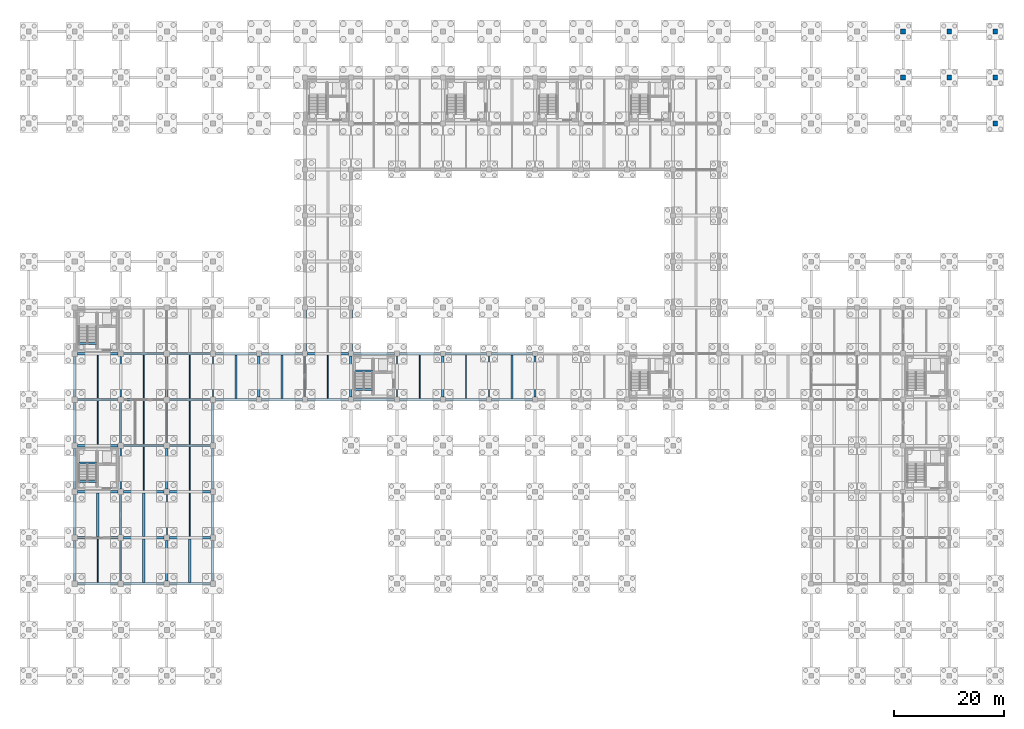
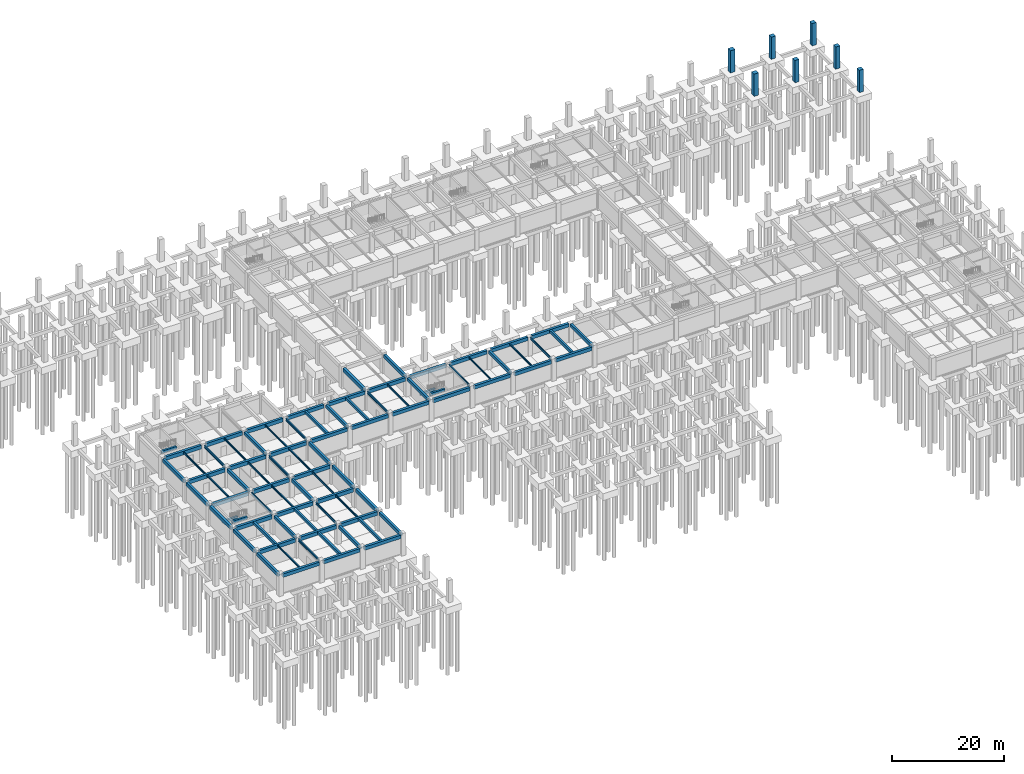
# One storey, part 13 of 29: 86 beams, 7 columns.
"""IFC4 building model written with IfcOpenShell, lengths in metres."""

from ifc_helpers import new_model, si_unit, direction, frame, origin, origin_2d, place, context, subcontext, project, spatial, rectangle, i_section, extrude, material, material_profile, profile_set, type_object, element, save


model = new_model("IFC4")

# Units and contexts
model_context = context("Model", 3, precision=1e-05, world=origin(), true_north=direction((0.0, 1.0)))
body_context = subcontext(model_context, "Body", "Model", "MODEL_VIEW")
ifc_project = project(units=[si_unit("LENGTHUNIT", "METRE"), si_unit("AREAUNIT", "SQUARE_METRE"), si_unit("VOLUMEUNIT", "CUBIC_METRE"), si_unit("PLANEANGLEUNIT", "RADIAN"), si_unit("MASSUNIT", "GRAM", prefix="KILO")], contexts=[model_context])

# Site, building, storey
site_placement = place(None, origin())
site = spatial("IfcSite", under=ifc_project, at=site_placement, CompositionType="ELEMENT")
building_placement = place(site_placement, origin())
building = spatial("IfcBuilding", under=site, at=building_placement, Name="Porcellanite Civic Hall", CompositionType="ELEMENT")
storey_placement = place(building_placement, frame((0.0, 0.0, -4.5)))
storey = spatial("IfcBuildingStorey", under=building, at=storey_placement, Name="B1", CompositionType="ELEMENT", Elevation=-4.5)

# Columns
ifc_material_1 = material(Name="Concrete N50 (50 MPa)", Category="concrete")
ifc_material_profile_1 = material_profile(ifc_material_1, rectangle(XDim=0.85009765625, YDim=0.85009765625, at=origin_2d()), Name="RC-850x850")
ifc_profile_set_1 = profile_set([ifc_material_profile_1], Name="Concrete N50 (50 MPa)")
column_type_1 = type_object("IfcColumnType", Name="COL-850", PredefinedType="COLUMN", material=ifc_profile_set_1)
for number, where, z_axis, x_axis, name in (
    (1, (168.0, 109.199951171875, -0.35009765625), (0.0, 0.0, 1.0), (1.0, 0.0, 0.0), "Column B1 20-13"),
    (2, (168.0, 117.60009765625, -0.35009765625), (0.0, 0.0, 1.0), (1.0, 0.0, 0.0), "Column B1 20-14"),
    (3, (176.39990234375, 100.800048828125, -0.35009765625), (0.0, 0.0, 1.0), (1.0, 0.0, 0.0), "Column B1 21-12"),
    (4, (176.39990234375, 109.199951171875, -0.35009765625), (0.0, 0.0, 1.0), (1.0, 0.0, 0.0), "Column B1 21-13"),
    (5, (176.39990234375, 117.60009765625, -0.35009765625), (0.0, 0.0, 1.0), (1.0, 0.0, 0.0), "Column B1 21-14"),
):
    element("IfcColumn", number, at=place(storey_placement, frame(where, z_axis=z_axis, x_axis=x_axis)), inside=storey, type_object=column_type_1, Name=name, PredefinedType="COLUMN", context=body_context, shape_type="SweptSolid", body=[
        extrude(rectangle(XDim=0.85009765625, YDim=0.85009765625, at=origin_2d()), origin(), (0.0, 0.0, 1.0), 4.85009765625),
    ])
ifc_material_2 = material(Name="Concrete N50 (50 MPa)", Category="concrete")
ifc_material_profile_2 = material_profile(ifc_material_2, rectangle(XDim=0.89990234375, YDim=0.89990234375, at=origin_2d()), Name="RC-900x900")
ifc_profile_set_2 = profile_set([ifc_material_profile_2], Name="Concrete N50 (50 MPa)")
column_type_2 = type_object("IfcColumnType", Name="COL-900", PredefinedType="COLUMN", material=ifc_profile_set_2)
for number, where, z_axis, x_axis, name in (
    (6, (159.60009765625, 109.199951171875, -0.35009765625), (0.0, 0.0, 1.0), (1.0, 0.0, 0.0), "Column B1 19-13"),
    (7, (159.60009765625, 117.60009765625, -0.35009765625), (0.0, 0.0, 1.0), (1.0, 0.0, 0.0), "Column B1 19-14"),
):
    element("IfcColumn", number, at=place(storey_placement, frame(where, z_axis=z_axis, x_axis=x_axis)), inside=storey, type_object=column_type_2, Name=name, PredefinedType="COLUMN", context=body_context, shape_type="SweptSolid", body=[
        extrude(rectangle(XDim=0.89990234375, YDim=0.89990234375, at=origin_2d()), origin(), (0.0, 0.0, 1.0), 4.85009765625),
    ])

# Beams
ifc_material_3 = material(Name="Concrete N50 (50 MPa)", Category="concrete")
ifc_material_profile_3 = material_profile(ifc_material_3, rectangle(XDim=0.39990234375, YDim=0.550048828125, at=origin_2d()), Name="RC-400x550")
ifc_profile_set_3 = profile_set([ifc_material_profile_3], Name="Concrete N50 (50 MPa)")
beam_type_1 = type_object("IfcBeamType", Name="BM-RC550", PredefinedType="JOIST", material=ifc_profile_set_3)
beam_1_placement = place(storey_placement, frame((21.0, 25.449462890625, 3.875), z_axis=(0.0, 1.0, 0.0), x_axis=(-1.0, 0.0, 0.0)))
element("IfcBeam", 8, at=beam_1_placement, inside=storey, type_object=beam_type_1, Name="Secondary joist B1 3-4", PredefinedType="JOIST", context=body_context, shape_type="SweptSolid", body=[
    extrude(rectangle(XDim=0.39990234375, YDim=0.550048828125, at=origin_2d()), origin(), (0.0, 0.0, 1.0), 7.901123046875),
])
beam_2_placement = place(storey_placement, frame((29.39990234375, 17.049560546875, 3.875), z_axis=(0.0, 1.0, 0.0), x_axis=(-1.0, 0.0, 0.0)))
element("IfcBeam", 9, at=beam_2_placement, inside=storey, type_object=beam_type_1, Name="Secondary joist B1 4-3", PredefinedType="JOIST", context=body_context, shape_type="SweptSolid", body=[
    extrude(rectangle(XDim=0.39990234375, YDim=0.550048828125, at=origin_2d()), origin(), (0.0, 0.0, 1.0), 7.90087890625),
])
beam_3_placement = place(storey_placement, frame((46.199951171875, 50.6494140625, 3.875), z_axis=(0.0, 1.0, 0.0), x_axis=(-1.0, 0.0, 0.0)))
element("IfcBeam", 10, at=beam_3_placement, inside=storey, type_object=beam_type_1, Name="Secondary joist B1 6-7", PredefinedType="JOIST", context=body_context, shape_type="SweptSolid", body=[
    extrude(rectangle(XDim=0.39990234375, YDim=0.550048828125, at=origin_2d()), origin(), (0.0, 0.0, 1.0), 7.901123046875),
])
for number, where, z_axis, x_axis, name in (
    (11, (9.21044921875, 38.824951171875, 1.885009765625), (1.0, 0.0, 0.0), (0.0, 1.0, 0.0), "Stair landing beam C1 B1"),
    (12, (9.21044921875, 35.449951171875, 3.875), (1.0, 0.0, 0.0), (0.0, 1.0, 0.0), "Stair header beam C1 B1"),
    (13, (9.21044921875, 60.64990234375, 3.875), (1.0, 0.0, 0.0), (0.0, 1.0, 0.0), "Stair header beam C2 B1"),
):
    element("IfcBeam", number, at=place(storey_placement, frame(where, z_axis=z_axis, x_axis=x_axis)), inside=storey, type_object=beam_type_1, Name=name, PredefinedType="JOIST", context=body_context, shape_type="SweptSolid", body=[
        extrude(rectangle(XDim=0.39990234375, YDim=0.550048828125, at=origin_2d()), origin(), (0.0, 0.0, 1.0), 3.109130859375),
    ])
for number, where, z_axis, x_axis, name in (
    (14, (59.610595703125, 55.625, 1.885009765625), (1.0, 0.0, 0.0), (0.0, 1.0, 0.0), "Stair landing beam C5 B1"),
    (15, (59.610595703125, 52.25, 3.875), (1.0, 0.0, 0.0), (0.0, 1.0, 0.0), "Stair header beam C5 B1"),
):
    element("IfcBeam", number, at=place(storey_placement, frame(where, z_axis=z_axis, x_axis=x_axis)), inside=storey, type_object=beam_type_1, Name=name, PredefinedType="JOIST", context=body_context, shape_type="SweptSolid", body=[
        extrude(rectangle(XDim=0.39990234375, YDim=0.550048828125, at=origin_2d()), origin(), (0.0, 0.0, 1.0), 3.10888671875),
    ])
ifc_material_4 = material(Name="Concrete N50 (50 MPa)", Category="concrete")
ifc_material_profile_4 = material_profile(ifc_material_4, rectangle(XDim=0.39990234375, YDim=0.60009765625, at=origin_2d()), Name="RC-400x600")
ifc_profile_set_4 = profile_set([ifc_material_profile_4], Name="Concrete N50 (50 MPa)")
beam_type_2 = type_object("IfcBeamType", Name="BM-RC600", PredefinedType="JOIST", material=ifc_profile_set_4)
beam_4_placement = place(storey_placement, frame((12.60009765625, 25.449462890625, 3.85009765625), z_axis=(0.0, 1.0, 0.0), x_axis=(-1.0, 0.0, 0.0)))
element("IfcBeam", 16, at=beam_4_placement, inside=storey, type_object=beam_type_2, Name="Secondary joist B1 2-4", PredefinedType="JOIST", context=body_context, shape_type="SweptSolid", body=[
    extrude(rectangle(XDim=0.39990234375, YDim=0.60009765625, at=origin_2d()), origin(), (0.0, 0.0, 1.0), 7.901123046875),
])
beam_5_placement = place(storey_placement, frame((21.0, 17.049560546875, 3.85009765625), z_axis=(0.0, 1.0, 0.0), x_axis=(-1.0, 0.0, 0.0)))
element("IfcBeam", 17, at=beam_5_placement, inside=storey, type_object=beam_type_2, Name="Secondary joist B1 3-3", PredefinedType="JOIST", context=body_context, shape_type="SweptSolid", body=[
    extrude(rectangle(XDim=0.39990234375, YDim=0.60009765625, at=origin_2d()), origin(), (0.0, 0.0, 1.0), 7.90087890625),
])
for number, where, z_axis, x_axis, name in (
    (18, (37.800048828125, 50.6494140625, 3.85009765625), (0.0, 1.0, 0.0), (-1.0, 0.0, 0.0), "Secondary joist B1 5-7"),
    (19, (88.199951171875, 50.6494140625, 3.85009765625), (0.0, 1.0, 0.0), (-1.0, 0.0, 0.0), "Secondary joist B1 11-7"),
):
    element("IfcBeam", number, at=place(storey_placement, frame(where, z_axis=z_axis, x_axis=x_axis)), inside=storey, type_object=beam_type_2, Name=name, PredefinedType="JOIST", context=body_context, shape_type="SweptSolid", body=[
        extrude(rectangle(XDim=0.39990234375, YDim=0.60009765625, at=origin_2d()), origin(), (0.0, 0.0, 1.0), 7.901123046875),
    ])
ifc_material_5 = material(Name="Concrete N50 (50 MPa)", Category="concrete")
ifc_material_profile_5 = material_profile(ifc_material_5, rectangle(XDim=0.449951171875, YDim=0.699951171875, at=origin_2d()), Name="RC-450x700")
ifc_profile_set_5 = profile_set([ifc_material_profile_5], Name="Concrete N50 (50 MPa)")
beam_type_3 = type_object("IfcBeamType", Name="BM-RC700", PredefinedType="BEAM", material=ifc_profile_set_5)
for number, where, z_axis, x_axis, name in (
    (20, (16.800048828125, 25.674560546875, 3.800048828125), (0.0, 1.0, 0.0), (-1.0, 0.0, 0.0), "Beam Y B1 3-4"),
    (21, (16.800048828125, 42.474609375, 3.800048828125), (0.0, 1.0, 0.0), (-1.0, 0.0, 0.0), "Beam Y B1 3-6"),
):
    element("IfcBeam", number, at=place(storey_placement, frame(where, z_axis=z_axis, x_axis=x_axis)), inside=storey, type_object=beam_type_3, Name=name, PredefinedType="BEAM", context=body_context, shape_type="SweptSolid", body=[
        extrude(rectangle(XDim=0.449951171875, YDim=0.699951171875, at=origin_2d()), origin(), (0.0, 0.0, 1.0), 7.450927734375),
    ])
beam_6_placement = place(storey_placement, frame((25.199951171875, 17.2744140625, 3.800048828125), z_axis=(0.0, 1.0, 0.0), x_axis=(-1.0, 0.0, 0.0)))
element("IfcBeam", 22, at=beam_6_placement, inside=storey, type_object=beam_type_3, Name="Beam Y B1 4-3", PredefinedType="BEAM", context=body_context, shape_type="SweptSolid", body=[
    extrude(rectangle(XDim=0.449951171875, YDim=0.699951171875, at=origin_2d()), origin(), (0.0, 0.0, 1.0), 7.451171875),
])
for number, where, z_axis, x_axis, name in (
    (23, (25.199951171875, 34.074462890625, 3.800048828125), (0.0, 1.0, 0.0), (-1.0, 0.0, 0.0), "Beam Y B1 4-5"),
    (24, (25.199951171875, 50.87451171875, 3.800048828125), (0.0, 1.0, 0.0), (-1.0, 0.0, 0.0), "Beam Y B1 4-7"),
):
    element("IfcBeam", number, at=place(storey_placement, frame(where, z_axis=z_axis, x_axis=x_axis)), inside=storey, type_object=beam_type_3, Name=name, PredefinedType="BEAM", context=body_context, shape_type="SweptSolid", body=[
        extrude(rectangle(XDim=0.449951171875, YDim=0.699951171875, at=origin_2d()), origin(), (0.0, 0.0, 1.0), 7.450927734375),
    ])
for number, where, z_axis, x_axis, name in (
    (25, (42.0, 50.849609375, 3.800048828125), (0.0, 1.0, 0.0), (-1.0, 0.0, 0.0), "Beam Y B1 6-7"),
    (26, (58.800048828125, 50.849609375, 3.800048828125), (0.0, 1.0, 0.0), (-1.0, 0.0, 0.0), "Beam Y B1 8-7"),
):
    element("IfcBeam", number, at=place(storey_placement, frame(where, z_axis=z_axis, x_axis=x_axis)), inside=storey, type_object=beam_type_3, Name=name, PredefinedType="BEAM", context=body_context, shape_type="SweptSolid", body=[
        extrude(rectangle(XDim=0.449951171875, YDim=0.699951171875, at=origin_2d()), origin(), (0.0, 0.0, 1.0), 7.5009765625),
    ])
for number, where, z_axis, x_axis, name in (
    (27, (75.60009765625, 50.849609375, 3.800048828125), (0.0, 1.0, 0.0), (-1.0, 0.0, 0.0), "Beam Y B1 10-7"),
    (28, (92.39990234375, 50.849609375, 3.800048828125), (0.0, 1.0, 0.0), (-1.0, 0.0, 0.0), "Beam Y B1 12-7"),
):
    element("IfcBeam", number, at=place(storey_placement, frame(where, z_axis=z_axis, x_axis=x_axis)), inside=storey, type_object=beam_type_3, Name=name, PredefinedType="BEAM", context=body_context, shape_type="SweptSolid", body=[
        extrude(rectangle(XDim=0.449951171875, YDim=0.699951171875, at=origin_2d()), origin(), (0.0, 0.0, 1.0), 7.52587890625),
    ])
ifc_material_6 = material(Name="Concrete N50 (50 MPa)", Category="concrete")
ifc_material_profile_6 = material_profile(ifc_material_6, rectangle(XDim=0.5, YDim=0.75, at=origin_2d()), Name="RC-500x750")
ifc_profile_set_6 = profile_set([ifc_material_profile_6], Name="Concrete N50 (50 MPa)")
beam_type_4 = type_object("IfcBeamType", Name="BM-RC750", PredefinedType="SPANDREL", material=ifc_profile_set_6)
beam_7_placement = place(storey_placement, frame((8.87451171875, 16.800048828125, 3.77490234375), z_axis=(1.0, 0.0, 0.0), x_axis=(0.0, 1.0, 0.0)))
element("IfcBeam", 29, at=beam_7_placement, inside=storey, type_object=beam_type_4, Name="Beam X B1 2-3", PredefinedType="SPANDREL", context=body_context, shape_type="SweptSolid", body=[
    extrude(rectangle(XDim=0.5, YDim=0.75, at=origin_2d()), origin(), (0.0, 0.0, 1.0), 7.450927734375),
])
beam_8_placement = place(storey_placement, frame((17.2744140625, 16.800048828125, 3.77490234375), z_axis=(1.0, 0.0, 0.0), x_axis=(0.0, 1.0, 0.0)))
element("IfcBeam", 30, at=beam_8_placement, inside=storey, type_object=beam_type_4, Name="Beam X B1 3-3", PredefinedType="SPANDREL", context=body_context, shape_type="SweptSolid", body=[
    extrude(rectangle(XDim=0.5, YDim=0.75, at=origin_2d()), origin(), (0.0, 0.0, 1.0), 7.451171875),
])
beam_9_placement = place(storey_placement, frame((25.674560546875, 16.800048828125, 3.77490234375), z_axis=(1.0, 0.0, 0.0), x_axis=(0.0, 1.0, 0.0)))
element("IfcBeam", 31, at=beam_9_placement, inside=storey, type_object=beam_type_4, Name="Beam X B1 4-3", PredefinedType="SPANDREL", context=body_context, shape_type="SweptSolid", body=[
    extrude(rectangle(XDim=0.5, YDim=0.75, at=origin_2d()), origin(), (0.0, 0.0, 1.0), 7.450927734375),
])
for number, where, z_axis, x_axis, name in (
    (32, (34.074462890625, 50.39990234375, 3.77490234375), (1.0, 0.0, 0.0), (0.0, 1.0, 0.0), "Beam X B1 5-7"),
    (33, (34.074462890625, 58.800048828125, 3.77490234375), (1.0, 0.0, 0.0), (0.0, 1.0, 0.0), "Beam X B1 5-8"),
):
    element("IfcBeam", number, at=place(storey_placement, frame(where, z_axis=z_axis, x_axis=x_axis)), inside=storey, type_object=beam_type_4, Name=name, PredefinedType="SPANDREL", context=body_context, shape_type="SweptSolid", body=[
        extrude(rectangle(XDim=0.5, YDim=0.75, at=origin_2d()), origin(), (0.0, 0.0, 1.0), 7.47607421875),
    ])
for number, where, z_axis, x_axis, name in (
    (34, (42.449462890625, 50.39990234375, 3.77490234375), (1.0, 0.0, 0.0), (0.0, 1.0, 0.0), "Beam X B1 6-7"),
    (35, (42.449462890625, 58.800048828125, 3.77490234375), (1.0, 0.0, 0.0), (0.0, 1.0, 0.0), "Beam X B1 6-8"),
    (36, (50.849609375, 50.39990234375, 3.77490234375), (1.0, 0.0, 0.0), (0.0, 1.0, 0.0), "Beam X B1 7-7"),
    (37, (59.24951171875, 50.39990234375, 3.77490234375), (1.0, 0.0, 0.0), (0.0, 1.0, 0.0), "Beam X B1 8-7"),
    (38, (59.24951171875, 58.800048828125, 3.77490234375), (1.0, 0.0, 0.0), (0.0, 1.0, 0.0), "Beam X B1 8-8"),
    (39, (67.6494140625, 50.39990234375, 3.77490234375), (1.0, 0.0, 0.0), (0.0, 1.0, 0.0), "Beam X B1 9-7"),
):
    element("IfcBeam", number, at=place(storey_placement, frame(where, z_axis=z_axis, x_axis=x_axis)), inside=storey, type_object=beam_type_4, Name=name, PredefinedType="SPANDREL", context=body_context, shape_type="SweptSolid", body=[
        extrude(rectangle(XDim=0.5, YDim=0.75, at=origin_2d()), origin(), (0.0, 0.0, 1.0), 7.5009765625),
    ])
beam_10_placement = place(storey_placement, frame((67.6494140625, 58.800048828125, 3.77490234375), z_axis=(1.0, 0.0, 0.0), x_axis=(0.0, 1.0, 0.0)))
element("IfcBeam", 40, at=beam_10_placement, inside=storey, type_object=beam_type_4, Name="Beam X B1 9-8", PredefinedType="SPANDREL", context=body_context, shape_type="SweptSolid", body=[
    extrude(rectangle(XDim=0.5, YDim=0.75, at=origin_2d()), origin(), (0.0, 0.0, 1.0), 7.526123046875),
])
beam_11_placement = place(storey_placement, frame((76.049560546875, 50.39990234375, 3.77490234375), z_axis=(1.0, 0.0, 0.0), x_axis=(0.0, 1.0, 0.0)))
element("IfcBeam", 41, at=beam_11_placement, inside=storey, type_object=beam_type_4, Name="Beam X B1 10-7", PredefinedType="SPANDREL", context=body_context, shape_type="SweptSolid", body=[
    extrude(rectangle(XDim=0.5, YDim=0.75, at=origin_2d()), origin(), (0.0, 0.0, 1.0), 7.5009765625),
])
beam_12_placement = place(storey_placement, frame((76.0244140625, 58.800048828125, 3.77490234375), z_axis=(1.0, 0.0, 0.0), x_axis=(0.0, 1.0, 0.0)))
element("IfcBeam", 42, at=beam_12_placement, inside=storey, type_object=beam_type_4, Name="Beam X B1 10-8", PredefinedType="SPANDREL", context=body_context, shape_type="SweptSolid", body=[
    extrude(rectangle(XDim=0.5, YDim=0.75, at=origin_2d()), origin(), (0.0, 0.0, 1.0), 7.551025390625),
])
beam_13_placement = place(storey_placement, frame((84.449462890625, 50.39990234375, 3.77490234375), z_axis=(1.0, 0.0, 0.0), x_axis=(0.0, 1.0, 0.0)))
element("IfcBeam", 43, at=beam_13_placement, inside=storey, type_object=beam_type_4, Name="Beam X B1 11-7", PredefinedType="SPANDREL", context=body_context, shape_type="SweptSolid", body=[
    extrude(rectangle(XDim=0.5, YDim=0.75, at=origin_2d()), origin(), (0.0, 0.0, 1.0), 7.5009765625),
])
beam_14_placement = place(storey_placement, frame((84.424560546875, 58.800048828125, 3.77490234375), z_axis=(1.0, 0.0, 0.0), x_axis=(0.0, 1.0, 0.0)))
element("IfcBeam", 44, at=beam_14_placement, inside=storey, type_object=beam_type_4, Name="Beam X B1 11-8", PredefinedType="SPANDREL", context=body_context, shape_type="SweptSolid", body=[
    extrude(rectangle(XDim=0.5, YDim=0.75, at=origin_2d()), origin(), (0.0, 0.0, 1.0), 7.551025390625),
])
beam_15_placement = place(storey_placement, frame((8.39990234375, 17.2744140625, 3.77490234375), z_axis=(0.0, 1.0, 0.0), x_axis=(-1.0, 0.0, 0.0)))
element("IfcBeam", 45, at=beam_15_placement, inside=storey, type_object=beam_type_4, Name="Beam Y B1 2-3", PredefinedType="SPANDREL", context=body_context, shape_type="SweptSolid", body=[
    extrude(rectangle(XDim=0.5, YDim=0.75, at=origin_2d()), origin(), (0.0, 0.0, 1.0), 7.451171875),
])
for number, where, z_axis, x_axis, name in (
    (46, (8.39990234375, 25.674560546875, 3.77490234375), (0.0, 1.0, 0.0), (-1.0, 0.0, 0.0), "Beam Y B1 2-4"),
    (47, (8.39990234375, 34.074462890625, 3.77490234375), (0.0, 1.0, 0.0), (-1.0, 0.0, 0.0), "Beam Y B1 2-5"),
    (48, (8.39990234375, 42.474609375, 3.77490234375), (0.0, 1.0, 0.0), (-1.0, 0.0, 0.0), "Beam Y B1 2-6"),
    (49, (8.39990234375, 50.87451171875, 3.77490234375), (0.0, 1.0, 0.0), (-1.0, 0.0, 0.0), "Beam Y B1 2-7"),
):
    element("IfcBeam", number, at=place(storey_placement, frame(where, z_axis=z_axis, x_axis=x_axis)), inside=storey, type_object=beam_type_4, Name=name, PredefinedType="SPANDREL", context=body_context, shape_type="SweptSolid", body=[
        extrude(rectangle(XDim=0.5, YDim=0.75, at=origin_2d()), origin(), (0.0, 0.0, 1.0), 7.450927734375),
    ])
beam_16_placement = place(storey_placement, frame((33.60009765625, 17.2744140625, 3.77490234375), z_axis=(0.0, 1.0, 0.0), x_axis=(-1.0, 0.0, 0.0)))
element("IfcBeam", 50, at=beam_16_placement, inside=storey, type_object=beam_type_4, Name="Beam Y B1 5-3", PredefinedType="SPANDREL", context=body_context, shape_type="SweptSolid", body=[
    extrude(rectangle(XDim=0.5, YDim=0.75, at=origin_2d()), origin(), (0.0, 0.0, 1.0), 7.451171875),
])
for number, where, z_axis, x_axis, name in (
    (51, (33.60009765625, 25.674560546875, 3.77490234375), (0.0, 1.0, 0.0), (-1.0, 0.0, 0.0), "Beam Y B1 5-4"),
    (52, (33.60009765625, 34.074462890625, 3.77490234375), (0.0, 1.0, 0.0), (-1.0, 0.0, 0.0), "Beam Y B1 5-5"),
    (53, (33.60009765625, 42.474609375, 3.77490234375), (0.0, 1.0, 0.0), (-1.0, 0.0, 0.0), "Beam Y B1 5-6"),
):
    element("IfcBeam", number, at=place(storey_placement, frame(where, z_axis=z_axis, x_axis=x_axis)), inside=storey, type_object=beam_type_4, Name=name, PredefinedType="SPANDREL", context=body_context, shape_type="SweptSolid", body=[
        extrude(rectangle(XDim=0.5, YDim=0.75, at=origin_2d()), origin(), (0.0, 0.0, 1.0), 7.450927734375),
    ])
for number, where, z_axis, x_axis, name in (
    (54, (50.39990234375, 59.24951171875, 3.77490234375), (0.0, 1.0, 0.0), (-1.0, 0.0, 0.0), "Beam Y B1 7-8"),
    (55, (58.800048828125, 59.24951171875, 3.77490234375), (0.0, 1.0, 0.0), (-1.0, 0.0, 0.0), "Beam Y B1 8-8"),
):
    element("IfcBeam", number, at=place(storey_placement, frame(where, z_axis=z_axis, x_axis=x_axis)), inside=storey, type_object=beam_type_4, Name=name, PredefinedType="SPANDREL", context=body_context, shape_type="SweptSolid", body=[
        extrude(rectangle(XDim=0.5, YDim=0.75, at=origin_2d()), origin(), (0.0, 0.0, 1.0), 7.47607421875),
    ])
ifc_material_7 = material(Name="Concrete N50 (50 MPa)", Category="concrete")
ifc_material_profile_7 = material_profile(ifc_material_7, rectangle(XDim=0.5, YDim=0.800048828125, at=origin_2d()), Name="RC-500x800")
ifc_profile_set_7 = profile_set([ifc_material_profile_7], Name="Concrete N50 (50 MPa)")
beam_type_5 = type_object("IfcBeamType", Name="BM-RC800", PredefinedType="BEAM", material=ifc_profile_set_7)
for number, where, z_axis, x_axis, name in (
    (56, (8.87451171875, 25.199951171875, 3.75), (1.0, 0.0, 0.0), (0.0, 1.0, 0.0), "Beam X B1 2-4"),
    (57, (8.87451171875, 33.60009765625, 3.75), (1.0, 0.0, 0.0), (0.0, 1.0, 0.0), "Beam X B1 2-5"),
    (58, (8.87451171875, 42.0, 3.75), (1.0, 0.0, 0.0), (0.0, 1.0, 0.0), "Beam X B1 2-6"),
    (59, (8.87451171875, 50.39990234375, 3.75), (1.0, 0.0, 0.0), (0.0, 1.0, 0.0), "Beam X B1 2-7"),
    (60, (8.87451171875, 58.800048828125, 3.75), (1.0, 0.0, 0.0), (0.0, 1.0, 0.0), "Beam X B1 2-8"),
):
    element("IfcBeam", number, at=place(storey_placement, frame(where, z_axis=z_axis, x_axis=x_axis)), inside=storey, type_object=beam_type_5, Name=name, PredefinedType="BEAM", context=body_context, shape_type="SweptSolid", body=[
        extrude(rectangle(XDim=0.5, YDim=0.800048828125, at=origin_2d()), origin(), (0.0, 0.0, 1.0), 7.450927734375),
    ])
for number, where, z_axis, x_axis, name in (
    (61, (17.2744140625, 25.199951171875, 3.75), (1.0, 0.0, 0.0), (0.0, 1.0, 0.0), "Beam X B1 3-4"),
    (62, (17.2744140625, 33.60009765625, 3.75), (1.0, 0.0, 0.0), (0.0, 1.0, 0.0), "Beam X B1 3-5"),
    (63, (17.2744140625, 42.0, 3.75), (1.0, 0.0, 0.0), (0.0, 1.0, 0.0), "Beam X B1 3-6"),
    (64, (17.2744140625, 50.39990234375, 3.75), (1.0, 0.0, 0.0), (0.0, 1.0, 0.0), "Beam X B1 3-7"),
    (65, (17.2744140625, 58.800048828125, 3.75), (1.0, 0.0, 0.0), (0.0, 1.0, 0.0), "Beam X B1 3-8"),
):
    element("IfcBeam", number, at=place(storey_placement, frame(where, z_axis=z_axis, x_axis=x_axis)), inside=storey, type_object=beam_type_5, Name=name, PredefinedType="BEAM", context=body_context, shape_type="SweptSolid", body=[
        extrude(rectangle(XDim=0.5, YDim=0.800048828125, at=origin_2d()), origin(), (0.0, 0.0, 1.0), 7.451171875),
    ])
for number, where, z_axis, x_axis, name in (
    (66, (25.674560546875, 25.199951171875, 3.75), (1.0, 0.0, 0.0), (0.0, 1.0, 0.0), "Beam X B1 4-4"),
    (67, (25.674560546875, 33.60009765625, 3.75), (1.0, 0.0, 0.0), (0.0, 1.0, 0.0), "Beam X B1 4-5"),
    (68, (25.674560546875, 42.0, 3.75), (1.0, 0.0, 0.0), (0.0, 1.0, 0.0), "Beam X B1 4-6"),
    (69, (25.674560546875, 50.39990234375, 3.75), (1.0, 0.0, 0.0), (0.0, 1.0, 0.0), "Beam X B1 4-7"),
    (70, (25.674560546875, 58.800048828125, 3.75), (1.0, 0.0, 0.0), (0.0, 1.0, 0.0), "Beam X B1 4-8"),
):
    element("IfcBeam", number, at=place(storey_placement, frame(where, z_axis=z_axis, x_axis=x_axis)), inside=storey, type_object=beam_type_5, Name=name, PredefinedType="BEAM", context=body_context, shape_type="SweptSolid", body=[
        extrude(rectangle(XDim=0.5, YDim=0.800048828125, at=origin_2d()), origin(), (0.0, 0.0, 1.0), 7.450927734375),
    ])
beam_17_placement = place(storey_placement, frame((50.849609375, 58.800048828125, 3.75), z_axis=(1.0, 0.0, 0.0), x_axis=(0.0, 1.0, 0.0)))
element("IfcBeam", 71, at=beam_17_placement, inside=storey, type_object=beam_type_5, Name="Beam X B1 7-8", PredefinedType="BEAM", context=body_context, shape_type="SweptSolid", body=[
    extrude(rectangle(XDim=0.5, YDim=0.800048828125, at=origin_2d()), origin(), (0.0, 0.0, 1.0), 7.5009765625),
])
ifc_material_8 = material(Name="Steel Grade 350", Category="steel")
ifc_material_profile_8 = material_profile(ifc_material_8, i_section(OverallWidth=0.1708984375, OverallDepth=0.35595703125, WebThickness=0.00732421875, FlangeThickness=0.011474609375, FilletRadius=0.011474609375, at=origin_2d()), Name="360UB50.7")
ifc_profile_set_8 = profile_set([ifc_material_profile_8], Name="Steel Grade 350")
beam_type_6 = type_object("IfcBeamType", Name="JST-360UB51", PredefinedType="JOIST", material=ifc_profile_set_8)
beam_18_placement = place(storey_placement, frame((12.60009765625, 17.049560546875, 3.971923828125), z_axis=(0.0, 1.0, 0.0), x_axis=(-1.0, 0.0, 0.0)))
element("IfcBeam", 72, at=beam_18_placement, inside=storey, type_object=beam_type_6, Name="Secondary joist B1 2-3", PredefinedType="JOIST", context=body_context, shape_type="SweptSolid", body=[
    extrude(i_section(OverallWidth=0.1708984375, OverallDepth=0.35595703125, WebThickness=0.00732421875, FlangeThickness=0.011474609375, FilletRadius=0.011474609375, at=origin_2d()), origin(), (0.0, 0.0, 1.0), 7.90087890625),
])
for number, where, z_axis, x_axis, name in (
    (73, (29.39990234375, 50.6494140625, 3.971923828125), (0.0, 1.0, 0.0), (-1.0, 0.0, 0.0), "Secondary joist B1 4-7"),
    (74, (79.800048828125, 50.6494140625, 3.971923828125), (0.0, 1.0, 0.0), (-1.0, 0.0, 0.0), "Secondary joist B1 10-7"),
):
    element("IfcBeam", number, at=place(storey_placement, frame(where, z_axis=z_axis, x_axis=x_axis)), inside=storey, type_object=beam_type_6, Name=name, PredefinedType="JOIST", context=body_context, shape_type="SweptSolid", body=[
        extrude(i_section(OverallWidth=0.1708984375, OverallDepth=0.35595703125, WebThickness=0.00732421875, FlangeThickness=0.011474609375, FilletRadius=0.011474609375, at=origin_2d()), origin(), (0.0, 0.0, 1.0), 7.901123046875),
    ])
ifc_material_9 = material(Name="Steel Grade 350", Category="steel")
ifc_material_profile_9 = material_profile(ifc_material_9, i_section(OverallWidth=0.172119140625, OverallDepth=0.35888671875, WebThickness=0.008056640625, FlangeThickness=0.012939453125, FilletRadius=0.011474609375, at=origin_2d()), Name="360UB56.7")
ifc_profile_set_9 = profile_set([ifc_material_profile_9], Name="Steel Grade 350")
beam_type_7 = type_object("IfcBeamType", Name="JST-360UB57", PredefinedType="JOIST", material=ifc_profile_set_9)
beam_19_placement = place(storey_placement, frame((21.0, 50.6494140625, 3.970458984375), z_axis=(0.0, 1.0, 0.0), x_axis=(-1.0, 0.0, 0.0)))
element("IfcBeam", 75, at=beam_19_placement, inside=storey, type_object=beam_type_7, Name="Secondary joist B1 3-7", PredefinedType="JOIST", context=body_context, shape_type="SweptSolid", body=[
    extrude(i_section(OverallWidth=0.172119140625, OverallDepth=0.35888671875, WebThickness=0.008056640625, FlangeThickness=0.012939453125, FilletRadius=0.011474609375, at=origin_2d()), origin(), (0.0, 0.0, 1.0), 7.901123046875),
])
beam_20_placement = place(storey_placement, frame((29.39990234375, 42.24951171875, 3.970458984375), z_axis=(0.0, 1.0, 0.0), x_axis=(-1.0, 0.0, 0.0)))
element("IfcBeam", 76, at=beam_20_placement, inside=storey, type_object=beam_type_7, Name="Secondary joist B1 4-6", PredefinedType="JOIST", context=body_context, shape_type="SweptSolid", body=[
    extrude(i_section(OverallWidth=0.172119140625, OverallDepth=0.35888671875, WebThickness=0.008056640625, FlangeThickness=0.012939453125, FilletRadius=0.011474609375, at=origin_2d()), origin(), (0.0, 0.0, 1.0), 7.90087890625),
])
beam_21_placement = place(storey_placement, frame((71.39990234375, 50.6494140625, 3.970458984375), z_axis=(0.0, 1.0, 0.0), x_axis=(-1.0, 0.0, 0.0)))
element("IfcBeam", 77, at=beam_21_placement, inside=storey, type_object=beam_type_7, Name="Secondary joist B1 9-7", PredefinedType="JOIST", context=body_context, shape_type="SweptSolid", body=[
    extrude(i_section(OverallWidth=0.172119140625, OverallDepth=0.35888671875, WebThickness=0.008056640625, FlangeThickness=0.012939453125, FilletRadius=0.011474609375, at=origin_2d()), origin(), (0.0, 0.0, 1.0), 7.901123046875),
])
ifc_material_10 = material(Name="Steel Grade 350", Category="steel")
ifc_material_profile_10 = material_profile(ifc_material_10, i_section(OverallWidth=0.177978515625, OverallDepth=0.403076171875, WebThickness=0.007568359375, FlangeThickness=0.010986328125, FilletRadius=0.011474609375, at=origin_2d()), Name="410UB53.7")
ifc_profile_set_10 = profile_set([ifc_material_profile_10], Name="Steel Grade 350")
beam_type_8 = type_object("IfcBeamType", Name="JST-410UB54", PredefinedType="JOIST", material=ifc_profile_set_10)
beam_22_placement = place(storey_placement, frame((12.60009765625, 50.6494140625, 3.948486328125), z_axis=(0.0, 1.0, 0.0), x_axis=(-1.0, 0.0, 0.0)))
element("IfcBeam", 78, at=beam_22_placement, inside=storey, type_object=beam_type_8, Name="Secondary joist B1 2-7", PredefinedType="JOIST", context=body_context, shape_type="SweptSolid", body=[
    extrude(i_section(OverallWidth=0.177978515625, OverallDepth=0.403076171875, WebThickness=0.007568359375, FlangeThickness=0.010986328125, FilletRadius=0.011474609375, at=origin_2d()), origin(), (0.0, 0.0, 1.0), 7.901123046875),
])
for number, where, z_axis, x_axis, name in (
    (79, (21.0, 42.24951171875, 3.948486328125), (0.0, 1.0, 0.0), (-1.0, 0.0, 0.0), "Secondary joist B1 3-6"),
    (80, (29.39990234375, 33.849609375, 3.948486328125), (0.0, 1.0, 0.0), (-1.0, 0.0, 0.0), "Secondary joist B1 4-5"),
):
    element("IfcBeam", number, at=place(storey_placement, frame(where, z_axis=z_axis, x_axis=x_axis)), inside=storey, type_object=beam_type_8, Name=name, PredefinedType="JOIST", context=body_context, shape_type="SweptSolid", body=[
        extrude(i_section(OverallWidth=0.177978515625, OverallDepth=0.403076171875, WebThickness=0.007568359375, FlangeThickness=0.010986328125, FilletRadius=0.011474609375, at=origin_2d()), origin(), (0.0, 0.0, 1.0), 7.90087890625),
    ])
ifc_material_11 = material(Name="Steel Grade 350", Category="steel")
ifc_material_profile_11 = material_profile(ifc_material_11, i_section(OverallWidth=0.177978515625, OverallDepth=0.406005859375, WebThickness=0.0078125, FlangeThickness=0.0126953125, FilletRadius=0.011474609375, at=origin_2d()), Name="410UB59.7")
ifc_profile_set_11 = profile_set([ifc_material_profile_11], Name="Steel Grade 350")
beam_type_9 = type_object("IfcBeamType", Name="JST-410UB60", PredefinedType="JOIST", material=ifc_profile_set_11)
for number, where, z_axis, x_axis, name in (
    (81, (12.60009765625, 42.24951171875, 3.947021484375), (0.0, 1.0, 0.0), (-1.0, 0.0, 0.0), "Secondary joist B1 2-6"),
    (82, (21.0, 33.849609375, 3.947021484375), (0.0, 1.0, 0.0), (-1.0, 0.0, 0.0), "Secondary joist B1 3-5"),
):
    element("IfcBeam", number, at=place(storey_placement, frame(where, z_axis=z_axis, x_axis=x_axis)), inside=storey, type_object=beam_type_9, Name=name, PredefinedType="JOIST", context=body_context, shape_type="SweptSolid", body=[
        extrude(i_section(OverallWidth=0.177978515625, OverallDepth=0.406005859375, WebThickness=0.0078125, FlangeThickness=0.0126953125, FilletRadius=0.011474609375, at=origin_2d()), origin(), (0.0, 0.0, 1.0), 7.90087890625),
    ])
for number, where, z_axis, x_axis, name in (
    (83, (29.39990234375, 25.449462890625, 3.947021484375), (0.0, 1.0, 0.0), (-1.0, 0.0, 0.0), "Secondary joist B1 4-4"),
    (84, (54.60009765625, 50.6494140625, 3.947021484375), (0.0, 1.0, 0.0), (-1.0, 0.0, 0.0), "Secondary joist B1 7-7"),
):
    element("IfcBeam", number, at=place(storey_placement, frame(where, z_axis=z_axis, x_axis=x_axis)), inside=storey, type_object=beam_type_9, Name=name, PredefinedType="JOIST", context=body_context, shape_type="SweptSolid", body=[
        extrude(i_section(OverallWidth=0.177978515625, OverallDepth=0.406005859375, WebThickness=0.0078125, FlangeThickness=0.0126953125, FilletRadius=0.011474609375, at=origin_2d()), origin(), (0.0, 0.0, 1.0), 7.901123046875),
    ])
ifc_material_12 = material(Name="Steel Grade 350", Category="steel")
ifc_material_profile_12 = material_profile(ifc_material_12, i_section(OverallWidth=0.208984375, OverallDepth=0.528076171875, WebThickness=0.009521484375, FlangeThickness=0.01318359375, FilletRadius=0.013916015625, at=origin_2d()), Name="530UB82.0")
ifc_profile_set_12 = profile_set([ifc_material_profile_12], Name="Steel Grade 350")
beam_type_10 = type_object("IfcBeamType", Name="RAF-530UB82", PredefinedType="BEAM", material=ifc_profile_set_12)
beam_23_placement = place(storey_placement, frame((16.800048828125, 17.2744140625, 3.885986328125), z_axis=(0.0, 1.0, 0.0), x_axis=(-1.0, 0.0, 0.0)))
element("IfcBeam", 85, at=beam_23_placement, inside=storey, type_object=beam_type_10, Name="Beam Y B1 3-3", PredefinedType="BEAM", context=body_context, shape_type="SweptSolid", body=[
    extrude(i_section(OverallWidth=0.208984375, OverallDepth=0.528076171875, WebThickness=0.009521484375, FlangeThickness=0.01318359375, FilletRadius=0.013916015625, at=origin_2d()), origin(), (0.0, 0.0, 1.0), 7.451171875),
])
for number, where, z_axis, x_axis, name in (
    (86, (16.800048828125, 34.074462890625, 3.885986328125), (0.0, 1.0, 0.0), (-1.0, 0.0, 0.0), "Beam Y B1 3-5"),
    (87, (16.800048828125, 50.87451171875, 3.885986328125), (0.0, 1.0, 0.0), (-1.0, 0.0, 0.0), "Beam Y B1 3-7"),
    (88, (25.199951171875, 25.674560546875, 3.885986328125), (0.0, 1.0, 0.0), (-1.0, 0.0, 0.0), "Beam Y B1 4-4"),
    (89, (25.199951171875, 42.474609375, 3.885986328125), (0.0, 1.0, 0.0), (-1.0, 0.0, 0.0), "Beam Y B1 4-6"),
    (90, (33.60009765625, 50.87451171875, 3.885986328125), (0.0, 1.0, 0.0), (-1.0, 0.0, 0.0), "Beam Y B1 5-7"),
):
    element("IfcBeam", number, at=place(storey_placement, frame(where, z_axis=z_axis, x_axis=x_axis)), inside=storey, type_object=beam_type_10, Name=name, PredefinedType="BEAM", context=body_context, shape_type="SweptSolid", body=[
        extrude(i_section(OverallWidth=0.208984375, OverallDepth=0.528076171875, WebThickness=0.009521484375, FlangeThickness=0.01318359375, FilletRadius=0.013916015625, at=origin_2d()), origin(), (0.0, 0.0, 1.0), 7.450927734375),
    ])
for number, where, z_axis, x_axis, name in (
    (91, (50.39990234375, 50.849609375, 3.885986328125), (0.0, 1.0, 0.0), (-1.0, 0.0, 0.0), "Beam Y B1 7-7"),
    (92, (67.199951171875, 50.849609375, 3.885986328125), (0.0, 1.0, 0.0), (-1.0, 0.0, 0.0), "Beam Y B1 9-7"),
):
    element("IfcBeam", number, at=place(storey_placement, frame(where, z_axis=z_axis, x_axis=x_axis)), inside=storey, type_object=beam_type_10, Name=name, PredefinedType="BEAM", context=body_context, shape_type="SweptSolid", body=[
        extrude(i_section(OverallWidth=0.208984375, OverallDepth=0.528076171875, WebThickness=0.009521484375, FlangeThickness=0.01318359375, FilletRadius=0.013916015625, at=origin_2d()), origin(), (0.0, 0.0, 1.0), 7.5009765625),
    ])
beam_24_placement = place(storey_placement, frame((84.0, 50.849609375, 3.885986328125), z_axis=(0.0, 1.0, 0.0), x_axis=(-1.0, 0.0, 0.0)))
element("IfcBeam", 93, at=beam_24_placement, inside=storey, type_object=beam_type_10, Name="Beam Y B1 11-7", PredefinedType="BEAM", context=body_context, shape_type="SweptSolid", body=[
    extrude(i_section(OverallWidth=0.208984375, OverallDepth=0.528076171875, WebThickness=0.009521484375, FlangeThickness=0.01318359375, FilletRadius=0.013916015625, at=origin_2d()), origin(), (0.0, 0.0, 1.0), 7.52587890625),
])

save(model, "model.ifc")
